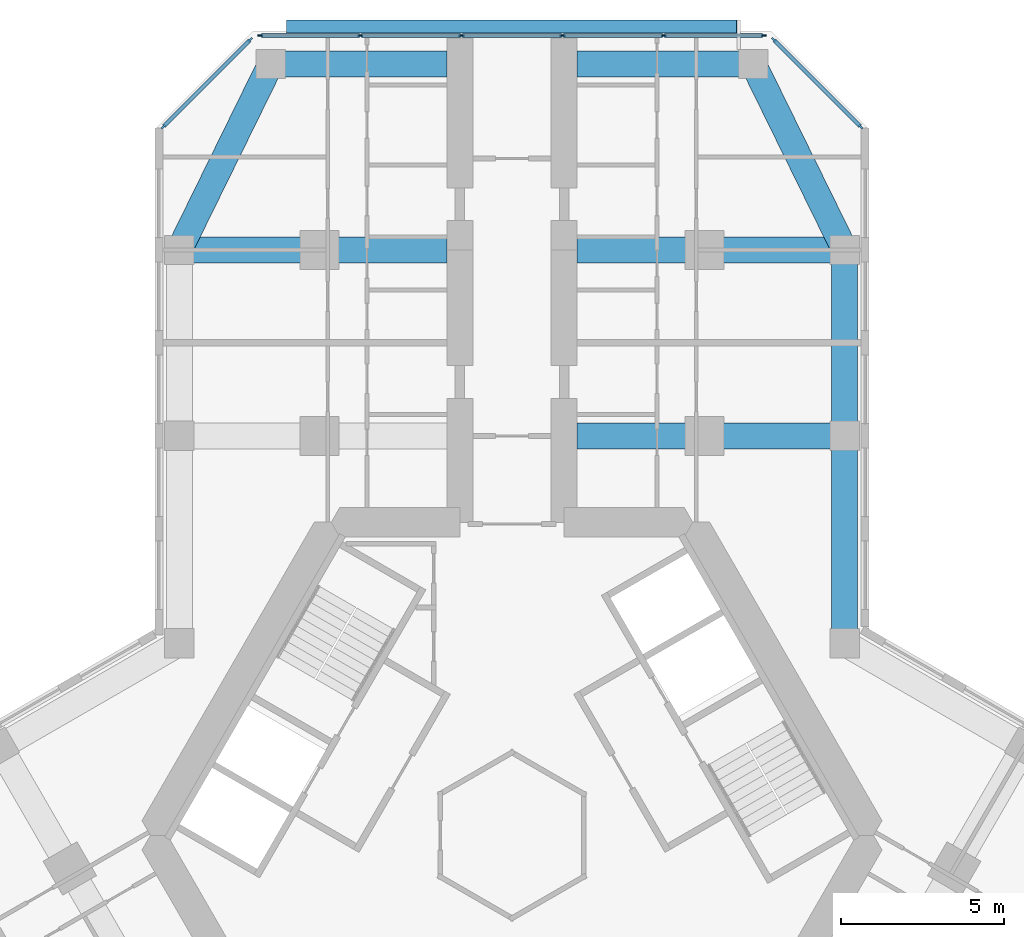
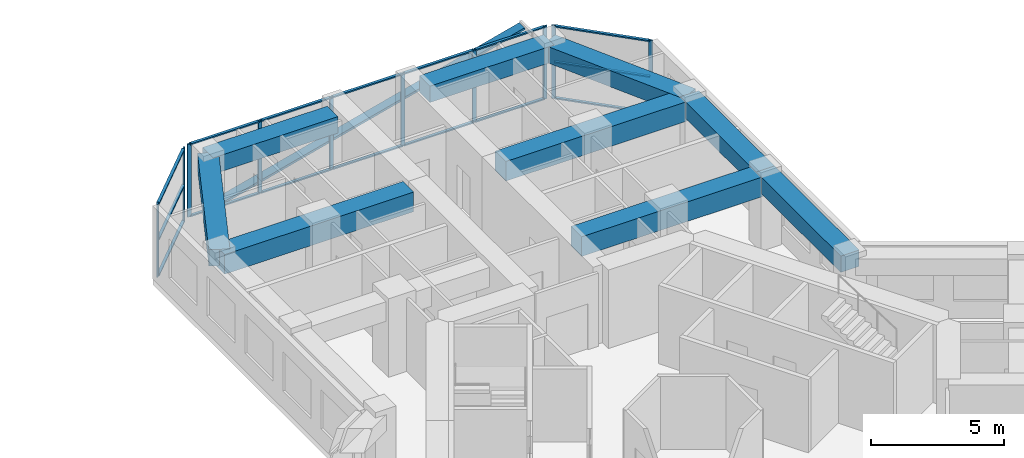
# One storey, part 7 of 19: 27 members, 9 beams, 3 elements without a shape of their own.
"""IFC4 building model written with IfcOpenShell, lengths in metres."""

from ifc_helpers import new_model, si_unit, direction, frame, origin, origin_2d, place, context, subcontext, project, spatial, rectangle, extrude, material, material_profile, profile_set, type_object, element, aggregate, save


model = new_model("IFC4")

# Units and contexts
model_context = context("Model", 3, precision=1e-05, world=origin(), true_north=direction((0.0, 1.0)))
body_context = subcontext(model_context, "Body", "Model", "MODEL_VIEW")
ifc_project = project(units=[si_unit("LENGTHUNIT", "METRE"), si_unit("AREAUNIT", "SQUARE_METRE"), si_unit("VOLUMEUNIT", "CUBIC_METRE"), si_unit("PLANEANGLEUNIT", "RADIAN"), si_unit("MASSUNIT", "GRAM", prefix="KILO")], contexts=[model_context])

# Site, building, storey
site_placement = place(None, origin())
site = spatial("IfcSite", under=ifc_project, at=site_placement, CompositionType="ELEMENT")
building_placement = place(site_placement, origin())
building = spatial("IfcBuilding", under=site, at=building_placement, Name="Kosmar Iwan School Tower", CompositionType="ELEMENT")
storey_placement = place(building_placement, frame((0.0, 0.0, 172.39990234375)))
storey = spatial("IfcBuildingStorey", under=building, at=storey_placement, Name="L43", CompositionType="ELEMENT", Elevation=172.39990234375)

# Member
ifc_material_1 = material(Name="Black anodised aluminium", Category="aluminium")
ifc_material_profile_1 = material_profile(ifc_material_1, rectangle(XDim=0.10009765625, YDim=0.39990234375, at=origin_2d()), Name="FIN 100x400")
ifc_profile_set_1 = profile_set([ifc_material_profile_1], Name="Black anodised aluminium")
member_type_1 = type_object("IfcMemberType", Name="Diagonal fin 100x400", PredefinedType="USERDEFINED", material=ifc_profile_set_1)
member_1_placement = place(storey_placement, frame((-6.898193359375, 24.800048828125, -0.14990234375), z_axis=(0.967599450335, 0.0, 0.252490205179), x_axis=(-0.252490205179, 0.0, 0.967599450335)))
element("IfcMember", 1, at=member_1_placement, inside=storey, type_object=member_type_1, Name="Diagonal fin L43-F08", ObjectType="FIN", PredefinedType="USERDEFINED", context=body_context, shape_type="SweptSolid", body=[
    extrude(rectangle(XDim=0.10009765625, YDim=0.39990234375, at=origin_2d()), origin(), (0.0, 0.0, 1.0), 14.25830078125),
])

# Curtain wall, members
ifc_material_2 = material(Name="Dark glass in black aluminium frame", Category="aluminium")
curtain_wall_type_1 = type_object("IfcCurtainWallType", Name="Chamfer curtain wall dark glass", PredefinedType="USERDEFINED", material=ifc_material_2)
curtain_wall_1_placement = place(storey_placement, origin())
curtain_wall_1 = element("IfcCurtainWall", 2, at=curtain_wall_1_placement, inside=storey, type_object=curtain_wall_type_1, Name="Curtain wall L43-F07", ObjectType="FACETED CURTAIN WALL", PredefinedType="USERDEFINED")
ifc_material_3 = material(Name="Black anodised aluminium", Category="aluminium")
ifc_material_profile_2 = material_profile(ifc_material_3, rectangle(XDim=0.06005859375, YDim=0.159912109375, at=origin_2d()), Name="MULLION 60x160")
ifc_profile_set_2 = profile_set([ifc_material_profile_2], Name="Black anodised aluminium")
member_type_2 = type_object("IfcMemberType", Name="Mullion 60x160", PredefinedType="MULLION", material=ifc_profile_set_2)
member_2_placement = place(storey_placement, frame((10.69775390625, 21.7255859375, 0.0), z_axis=(0.0, 0.0, 1.0), x_axis=(-0.707106781187, -0.707106781187, 0.0)))
member_2 = element("IfcMember", 3, at=member_2_placement, type_object=member_type_2, Name="CW2 mullion 1", PredefinedType="MULLION", context=body_context, shape_type="SweptSolid", body=[
    extrude(rectangle(XDim=0.06005859375, YDim=0.159912109375, at=origin_2d()), origin(), (0.0, 0.0, 1.0), 3.35009765625),
])
member_3_placement = place(storey_placement, frame((8.025390625, 24.397705078125, 0.0), z_axis=(0.0, 0.0, 1.0), x_axis=(-0.707106781187, -0.707106781187, 0.0)))
member_3 = element("IfcMember", 4, at=member_3_placement, type_object=member_type_2, Name="CW2 mullion 2", PredefinedType="MULLION", context=body_context, shape_type="SweptSolid", body=[
    extrude(rectangle(XDim=0.06005859375, YDim=0.159912109375, at=origin_2d()), origin(), (0.0, 0.0, 1.0), 3.35009765625),
])

ifc_material_4 = material(Name="Dark glass in black aluminium frame", Category="aluminium")
curtain_wall_type_2 = type_object("IfcCurtainWallType", Name="Tower curtain wall dark glass", PredefinedType="USERDEFINED", material=ifc_material_4)
curtain_wall_2_placement = place(storey_placement, origin())
curtain_wall_2 = element("IfcCurtainWall", 5, at=curtain_wall_2_placement, inside=storey, type_object=curtain_wall_type_2, Name="Curtain wall L43-F08", ObjectType="UNITISED CURTAIN WALL", PredefinedType="USERDEFINED")
member_4_placement = place(storey_placement, frame((7.71826171875, 24.52490234375, 0.0), z_axis=(0.0, 0.0, 1.0), x_axis=(0.0, -1.0, 0.0)))
member_4 = element("IfcMember", 6, at=member_4_placement, type_object=member_type_2, Name="CW1 mullion 1", PredefinedType="MULLION", context=body_context, shape_type="SweptSolid", body=[
    extrude(rectangle(XDim=0.06005859375, YDim=0.159912109375, at=origin_2d()), origin(), (0.0, 0.0, 1.0), 3.35009765625),
])
member_5_placement = place(storey_placement, frame((4.64892578125, 24.52490234375, 0.0), z_axis=(0.0, 0.0, 1.0), x_axis=(0.0, -1.0, 0.0)))
member_5 = element("IfcMember", 7, at=member_5_placement, type_object=member_type_2, Name="CW1 mullion 2", PredefinedType="MULLION", context=body_context, shape_type="SweptSolid", body=[
    extrude(rectangle(XDim=0.06005859375, YDim=0.159912109375, at=origin_2d()), origin(), (0.0, 0.0, 1.0), 3.35009765625),
])
member_6_placement = place(storey_placement, frame((1.549560546875, 24.52490234375, 0.0), z_axis=(0.0, 0.0, 1.0), x_axis=(0.0, -1.0, 0.0)))
member_6 = element("IfcMember", 8, at=member_6_placement, type_object=member_type_2, Name="CW1 mullion 3", PredefinedType="MULLION", context=body_context, shape_type="SweptSolid", body=[
    extrude(rectangle(XDim=0.06005859375, YDim=0.159912109375, at=origin_2d()), origin(), (0.0, 0.0, 1.0), 3.35009765625),
])
member_7_placement = place(storey_placement, frame((-1.549560546875, 24.52490234375, 0.0), z_axis=(0.0, 0.0, 1.0), x_axis=(0.0, -1.0, 0.0)))
member_7 = element("IfcMember", 9, at=member_7_placement, type_object=member_type_2, Name="CW1 mullion 4", PredefinedType="MULLION", context=body_context, shape_type="SweptSolid", body=[
    extrude(rectangle(XDim=0.06005859375, YDim=0.159912109375, at=origin_2d()), origin(), (0.0, 0.0, 1.0), 3.35009765625),
])
member_8_placement = place(storey_placement, frame((-4.64892578125, 24.52490234375, 0.0), z_axis=(0.0, 0.0, 1.0), x_axis=(0.0, -1.0, 0.0)))
member_8 = element("IfcMember", 10, at=member_8_placement, type_object=member_type_2, Name="CW1 mullion 5", PredefinedType="MULLION", context=body_context, shape_type="SweptSolid", body=[
    extrude(rectangle(XDim=0.06005859375, YDim=0.159912109375, at=origin_2d()), origin(), (0.0, 0.0, 1.0), 3.35009765625),
])
member_9_placement = place(storey_placement, frame((-7.71826171875, 24.52490234375, 0.0), z_axis=(0.0, 0.0, 1.0), x_axis=(0.0, -1.0, 0.0)))
member_9 = element("IfcMember", 11, at=member_9_placement, type_object=member_type_2, Name="CW1 mullion 6", PredefinedType="MULLION", context=body_context, shape_type="SweptSolid", body=[
    extrude(rectangle(XDim=0.06005859375, YDim=0.159912109375, at=origin_2d()), origin(), (0.0, 0.0, 1.0), 3.35009765625),
])

curtain_wall_3_placement = place(storey_placement, origin())
curtain_wall_3 = element("IfcCurtainWall", 12, at=curtain_wall_3_placement, inside=storey, type_object=curtain_wall_type_1, Name="Curtain wall L43-F09", ObjectType="FACETED CURTAIN WALL", PredefinedType="USERDEFINED")
member_10_placement = place(storey_placement, frame((-8.025390625, 24.397705078125, 0.0), z_axis=(0.0, 0.0, 1.0), x_axis=(0.707106781187, -0.707106781187, 0.0)))
member_10 = element("IfcMember", 13, at=member_10_placement, type_object=member_type_2, Name="CW2 mullion 1", PredefinedType="MULLION", context=body_context, shape_type="SweptSolid", body=[
    extrude(rectangle(XDim=0.06005859375, YDim=0.159912109375, at=origin_2d()), origin(), (0.0, 0.0, 1.0), 3.35009765625),
])
member_11_placement = place(storey_placement, frame((-10.69775390625, 21.7255859375, 0.0), z_axis=(0.0, 0.0, 1.0), x_axis=(0.707106781187, -0.707106781187, 0.0)))
member_11 = element("IfcMember", 14, at=member_11_placement, type_object=member_type_2, Name="CW2 mullion 2", PredefinedType="MULLION", context=body_context, shape_type="SweptSolid", body=[
    extrude(rectangle(XDim=0.06005859375, YDim=0.159912109375, at=origin_2d()), origin(), (0.0, 0.0, 1.0), 3.35009765625),
])

# Beams
ifc_material_5 = material(Name="Concrete C50/60", Category="concrete")
ifc_material_profile_3 = material_profile(ifc_material_5, rectangle(XDim=0.800048828125, YDim=0.75, at=origin_2d()), Name="RC 800x750")
ifc_profile_set_3 = profile_set([ifc_material_profile_3], Name="Concrete C50/60")
beam_type_1 = type_object("IfcBeamType", Name="RC edge beam 800x750", PredefinedType="BEAM", material=ifc_profile_set_3)
beam_1_placement = place(storey_placement, frame((10.199951171875, 5.888916015625, 2.97509765625), z_axis=(0.0, 1.0, 0.0), x_axis=(-1.0, 0.0, 0.0)))
element("IfcBeam", 15, at=beam_1_placement, inside=storey, type_object=beam_type_1, Name="Edge beam AR1", PredefinedType="BEAM", context=body_context, shape_type="SweptSolid", body=[
    extrude(rectangle(XDim=0.800048828125, YDim=0.75, at=origin_2d()), origin(), (0.0, 0.0, 1.0), 6.361083984375),
])
beam_2_placement = place(storey_placement, frame((10.199951171875, 12.25, 2.97509765625), z_axis=(0.0, 1.0, 0.0), x_axis=(-1.0, 0.0, 0.0)))
element("IfcBeam", 16, at=beam_2_placement, inside=storey, type_object=beam_type_1, Name="Edge beam AR2", PredefinedType="BEAM", context=body_context, shape_type="SweptSolid", body=[
    extrude(rectangle(XDim=0.800048828125, YDim=0.75, at=origin_2d()), origin(), (0.0, 0.0, 1.0), 5.699951171875),
])
ifc_material_6 = material(Name="Concrete C50/60", Category="concrete")
ifc_material_profile_4 = material_profile(ifc_material_6, rectangle(XDim=0.800048828125, YDim=0.75, at=origin_2d()), Name="RC 800x750")
ifc_profile_set_4 = profile_set([ifc_material_profile_4], Name="Concrete C50/60")
beam_type_2 = type_object("IfcBeamType", Name="RC tip beam 800x750", PredefinedType="BEAM", material=ifc_profile_set_4)
beam_3_placement = place(storey_placement, frame((-10.199951171875, 17.949951171875, 2.97509765625), z_axis=(0.440913116462, 0.897549788999, 0.0), x_axis=(-0.897549788999, 0.440913116462, 0.0)))
element("IfcBeam", 17, at=beam_3_placement, inside=storey, type_object=beam_type_2, Name="Tip beam AL", PredefinedType="BEAM", context=body_context, shape_type="SweptSolid", body=[
    extrude(rectangle(XDim=0.800048828125, YDim=0.75, at=origin_2d()), origin(), (0.0, 0.0, 1.0), 6.3505859375),
])
beam_4_placement = place(storey_placement, frame((-7.39990234375, 23.64990234375, 2.97509765625), z_axis=(1.0, 0.0, 0.0), x_axis=(0.0, 1.0, 0.0)))
element("IfcBeam", 18, at=beam_4_placement, inside=storey, type_object=beam_type_2, Name="Tip beam AL to corridor wall", PredefinedType="BEAM", context=body_context, shape_type="SweptSolid", body=[
    extrude(rectangle(XDim=0.800048828125, YDim=0.75, at=origin_2d()), origin(), (0.0, 0.0, 1.0), 5.39990234375),
])
beam_5_placement = place(storey_placement, frame((10.199951171875, 17.949951171875, 2.97509765625), z_axis=(-0.440913116462, 0.897549788999, 0.0), x_axis=(-0.897549788999, -0.440913116462, 0.0)))
element("IfcBeam", 19, at=beam_5_placement, inside=storey, type_object=beam_type_2, Name="Tip beam AR", PredefinedType="BEAM", context=body_context, shape_type="SweptSolid", body=[
    extrude(rectangle(XDim=0.800048828125, YDim=0.75, at=origin_2d()), origin(), (0.0, 0.0, 1.0), 6.3505859375),
])
beam_6_placement = place(storey_placement, frame((7.39990234375, 23.64990234375, 2.97509765625), z_axis=(-1.0, 0.0, 0.0), x_axis=(0.0, -1.0, 0.0)))
element("IfcBeam", 20, at=beam_6_placement, inside=storey, type_object=beam_type_2, Name="Tip beam AR to corridor wall", PredefinedType="BEAM", context=body_context, shape_type="SweptSolid", body=[
    extrude(rectangle(XDim=0.800048828125, YDim=0.75, at=origin_2d()), origin(), (0.0, 0.0, 1.0), 5.39990234375),
])
ifc_material_7 = material(Name="Concrete C50/60", Category="concrete")
ifc_material_profile_5 = material_profile(ifc_material_7, rectangle(XDim=0.800048828125, YDim=0.89990234375, at=origin_2d()), Name="RC 800x900")
ifc_profile_set_5 = profile_set([ifc_material_profile_5], Name="Concrete C50/60")
beam_type_3 = type_object("IfcBeamType", Name="RC transverse beam 800x900", PredefinedType="BEAM", material=ifc_profile_set_5)
for number, where, z_axis, x_axis, name in (
    (21, (-10.199951171875, 17.949951171875, 2.900146484375), (1.0, 0.0, 0.0), (0.0, 1.0, 0.0), "Transverse beam AL2"),
    (22, (10.199951171875, 12.25, 2.900146484375), (-1.0, 0.0, 0.0), (0.0, -1.0, 0.0), "Transverse beam AR1"),
    (23, (10.199951171875, 17.949951171875, 2.900146484375), (-1.0, 0.0, 0.0), (0.0, -1.0, 0.0), "Transverse beam AR2"),
):
    element("IfcBeam", number, at=place(storey_placement, frame(where, z_axis=z_axis, x_axis=x_axis)), inside=storey, type_object=beam_type_3, Name=name, PredefinedType="BEAM", context=body_context, shape_type="SweptSolid", body=[
        extrude(rectangle(XDim=0.800048828125, YDim=0.89990234375, at=origin_2d()), origin(), (0.0, 0.0, 1.0), 8.199951171875),
    ])

# Member
ifc_material_8 = material(Name="Black anodised aluminium", Category="aluminium")
ifc_material_profile_6 = material_profile(ifc_material_8, rectangle(XDim=0.1201171875, YDim=0.06005859375, at=origin_2d()), Name="TRANSOM 60x120")
ifc_profile_set_6 = profile_set([ifc_material_profile_6], Name="Black anodised aluminium")
member_type_3 = type_object("IfcMemberType", Name="Transom 60x120", PredefinedType="USERDEFINED", material=ifc_profile_set_6)
member_12_placement = place(storey_placement, frame((10.676513671875, 21.746826171875, 0.030029296875), z_axis=(-0.707139603466, 0.707073957383, 0.0), x_axis=(-0.707073957383, -0.707139603466, 0.0)))
member_12 = element("IfcMember", 24, at=member_12_placement, type_object=member_type_3, Name="CW2 transom 1.1", ObjectType="TRANSOM", PredefinedType="USERDEFINED", context=body_context, shape_type="SweptSolid", body=[
    extrude(rectangle(XDim=0.1201171875, YDim=0.06005859375, at=origin_2d()), origin(), (0.0, 0.0, 1.0), 3.718994140625),
])

member_13_placement = place(storey_placement, frame((10.676513671875, 21.746826171875, 1.675048828125), z_axis=(-0.707139603466, 0.707073957383, 0.0), x_axis=(-0.707073957383, -0.707139603466, 0.0)))
member_13 = element("IfcMember", 25, at=member_13_placement, type_object=member_type_3, Name="CW2 transom 1.2", ObjectType="TRANSOM", PredefinedType="USERDEFINED", context=body_context, shape_type="SweptSolid", body=[
    extrude(rectangle(XDim=0.1201171875, YDim=0.06005859375, at=origin_2d()), origin(), (0.0, 0.0, 1.0), 3.718994140625),
])

member_14_placement = place(storey_placement, frame((10.676513671875, 21.746826171875, 3.320068359375), z_axis=(-0.707139603466, 0.707073957383, 0.0), x_axis=(-0.707073957383, -0.707139603466, 0.0)))
member_14 = element("IfcMember", 26, at=member_14_placement, type_object=member_type_3, Name="CW2 transom 1.3", ObjectType="TRANSOM", PredefinedType="USERDEFINED", context=body_context, shape_type="SweptSolid", body=[
    extrude(rectangle(XDim=0.1201171875, YDim=0.06005859375, at=origin_2d()), origin(), (0.0, 0.0, 1.0), 3.718994140625),
])

aggregate(curtain_wall_1, [member_2, member_3, member_12, member_13, member_14])

member_15_placement = place(storey_placement, frame((7.688232421875, 24.52490234375, 0.030029296875), z_axis=(-1.0, 0.0, 0.0), x_axis=(0.0, -1.0, 0.0)))
member_15 = element("IfcMember", 27, at=member_15_placement, type_object=member_type_3, Name="CW1 transom 1.1", ObjectType="TRANSOM", PredefinedType="USERDEFINED", context=body_context, shape_type="SweptSolid", body=[
    extrude(rectangle(XDim=0.1201171875, YDim=0.06005859375, at=origin_2d()), origin(), (0.0, 0.0, 1.0), 3.00927734375),
])

member_16_placement = place(storey_placement, frame((7.688232421875, 24.52490234375, 3.320068359375), z_axis=(-1.0, 0.0, 0.0), x_axis=(0.0, -1.0, 0.0)))
member_16 = element("IfcMember", 28, at=member_16_placement, type_object=member_type_3, Name="CW1 transom 1.2", ObjectType="TRANSOM", PredefinedType="USERDEFINED", context=body_context, shape_type="SweptSolid", body=[
    extrude(rectangle(XDim=0.1201171875, YDim=0.06005859375, at=origin_2d()), origin(), (0.0, 0.0, 1.0), 3.00927734375),
])

member_17_placement = place(storey_placement, frame((4.618896484375, 24.52490234375, 0.030029296875), z_axis=(-1.0, 0.0, 0.0), x_axis=(0.0, -1.0, 0.0)))
member_17 = element("IfcMember", 29, at=member_17_placement, type_object=member_type_3, Name="CW1 transom 2.1", ObjectType="TRANSOM", PredefinedType="USERDEFINED", context=body_context, shape_type="SweptSolid", body=[
    extrude(rectangle(XDim=0.1201171875, YDim=0.06005859375, at=origin_2d()), origin(), (0.0, 0.0, 1.0), 3.039306640625),
])

member_18_placement = place(storey_placement, frame((4.618896484375, 24.52490234375, 3.320068359375), z_axis=(-1.0, 0.0, 0.0), x_axis=(0.0, -1.0, 0.0)))
member_18 = element("IfcMember", 30, at=member_18_placement, type_object=member_type_3, Name="CW1 transom 2.2", ObjectType="TRANSOM", PredefinedType="USERDEFINED", context=body_context, shape_type="SweptSolid", body=[
    extrude(rectangle(XDim=0.1201171875, YDim=0.06005859375, at=origin_2d()), origin(), (0.0, 0.0, 1.0), 3.039306640625),
])

member_19_placement = place(storey_placement, frame((1.51953125, 24.52490234375, 0.030029296875), z_axis=(-1.0, 0.0, 0.0), x_axis=(0.0, -1.0, 0.0)))
member_19 = element("IfcMember", 31, at=member_19_placement, type_object=member_type_3, Name="CW1 transom 3.1", ObjectType="TRANSOM", PredefinedType="USERDEFINED", context=body_context, shape_type="SweptSolid", body=[
    extrude(rectangle(XDim=0.1201171875, YDim=0.06005859375, at=origin_2d()), origin(), (0.0, 0.0, 1.0), 3.0390625),
])

member_20_placement = place(storey_placement, frame((1.51953125, 24.52490234375, 3.320068359375), z_axis=(-1.0, 0.0, 0.0), x_axis=(0.0, -1.0, 0.0)))
member_20 = element("IfcMember", 32, at=member_20_placement, type_object=member_type_3, Name="CW1 transom 3.2", ObjectType="TRANSOM", PredefinedType="USERDEFINED", context=body_context, shape_type="SweptSolid", body=[
    extrude(rectangle(XDim=0.1201171875, YDim=0.06005859375, at=origin_2d()), origin(), (0.0, 0.0, 1.0), 3.0390625),
])

member_21_placement = place(storey_placement, frame((-1.57958984375, 24.52490234375, 0.030029296875), z_axis=(-1.0, 0.0, 0.0), x_axis=(0.0, -1.0, 0.0)))
member_21 = element("IfcMember", 33, at=member_21_placement, type_object=member_type_3, Name="CW1 transom 4.1", ObjectType="TRANSOM", PredefinedType="USERDEFINED", context=body_context, shape_type="SweptSolid", body=[
    extrude(rectangle(XDim=0.1201171875, YDim=0.06005859375, at=origin_2d()), origin(), (0.0, 0.0, 1.0), 3.039306640625),
])

member_22_placement = place(storey_placement, frame((-1.57958984375, 24.52490234375, 3.320068359375), z_axis=(-1.0, 0.0, 0.0), x_axis=(0.0, -1.0, 0.0)))
member_22 = element("IfcMember", 34, at=member_22_placement, type_object=member_type_3, Name="CW1 transom 4.2", ObjectType="TRANSOM", PredefinedType="USERDEFINED", context=body_context, shape_type="SweptSolid", body=[
    extrude(rectangle(XDim=0.1201171875, YDim=0.06005859375, at=origin_2d()), origin(), (0.0, 0.0, 1.0), 3.039306640625),
])

member_23_placement = place(storey_placement, frame((-4.678955078125, 24.52490234375, 0.030029296875), z_axis=(-1.0, 0.0, 0.0), x_axis=(0.0, -1.0, 0.0)))
member_23 = element("IfcMember", 35, at=member_23_placement, type_object=member_type_3, Name="CW1 transom 5.1", ObjectType="TRANSOM", PredefinedType="USERDEFINED", context=body_context, shape_type="SweptSolid", body=[
    extrude(rectangle(XDim=0.1201171875, YDim=0.06005859375, at=origin_2d()), origin(), (0.0, 0.0, 1.0), 3.00927734375),
])

member_24_placement = place(storey_placement, frame((-4.678955078125, 24.52490234375, 3.320068359375), z_axis=(-1.0, 0.0, 0.0), x_axis=(0.0, -1.0, 0.0)))
member_24 = element("IfcMember", 36, at=member_24_placement, type_object=member_type_3, Name="CW1 transom 5.2", ObjectType="TRANSOM", PredefinedType="USERDEFINED", context=body_context, shape_type="SweptSolid", body=[
    extrude(rectangle(XDim=0.1201171875, YDim=0.06005859375, at=origin_2d()), origin(), (0.0, 0.0, 1.0), 3.00927734375),
])

aggregate(curtain_wall_2, [member_4, member_5, member_6, member_7, member_8, member_9, member_15, member_16, member_17, member_18, member_19, member_20, member_21, member_22, member_23, member_24])

member_25_placement = place(storey_placement, frame((-8.046630859375, 24.37646484375, 0.030029296875), z_axis=(-0.707139603466, -0.707073957383, 0.0), x_axis=(0.707073957383, -0.707139603466, 0.0)))
member_25 = element("IfcMember", 37, at=member_25_placement, type_object=member_type_3, Name="CW2 transom 1.1", ObjectType="TRANSOM", PredefinedType="USERDEFINED", context=body_context, shape_type="SweptSolid", body=[
    extrude(rectangle(XDim=0.1201171875, YDim=0.06005859375, at=origin_2d()), origin(), (0.0, 0.0, 1.0), 3.718994140625),
])

member_26_placement = place(storey_placement, frame((-8.046630859375, 24.37646484375, 1.675048828125), z_axis=(-0.707139603466, -0.707073957383, 0.0), x_axis=(0.707073957383, -0.707139603466, 0.0)))
member_26 = element("IfcMember", 38, at=member_26_placement, type_object=member_type_3, Name="CW2 transom 1.2", ObjectType="TRANSOM", PredefinedType="USERDEFINED", context=body_context, shape_type="SweptSolid", body=[
    extrude(rectangle(XDim=0.1201171875, YDim=0.06005859375, at=origin_2d()), origin(), (0.0, 0.0, 1.0), 3.718994140625),
])

member_27_placement = place(storey_placement, frame((-8.046630859375, 24.37646484375, 3.320068359375), z_axis=(-0.707139603466, -0.707073957383, 0.0), x_axis=(0.707073957383, -0.707139603466, 0.0)))
member_27 = element("IfcMember", 39, at=member_27_placement, type_object=member_type_3, Name="CW2 transom 1.3", ObjectType="TRANSOM", PredefinedType="USERDEFINED", context=body_context, shape_type="SweptSolid", body=[
    extrude(rectangle(XDim=0.1201171875, YDim=0.06005859375, at=origin_2d()), origin(), (0.0, 0.0, 1.0), 3.718994140625),
])

aggregate(curtain_wall_3, [member_10, member_11, member_25, member_26, member_27])

save(model, "model.ifc")
